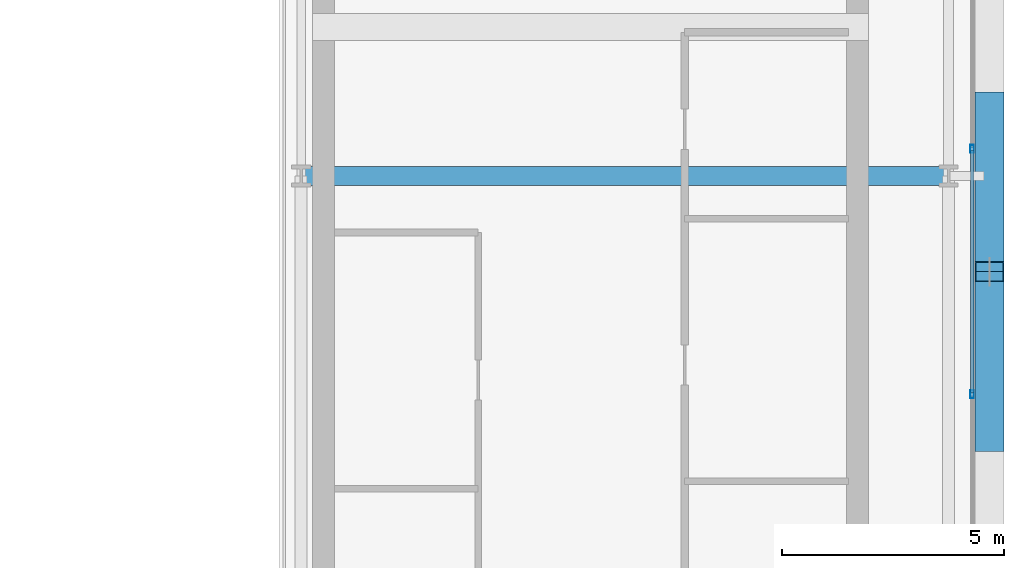
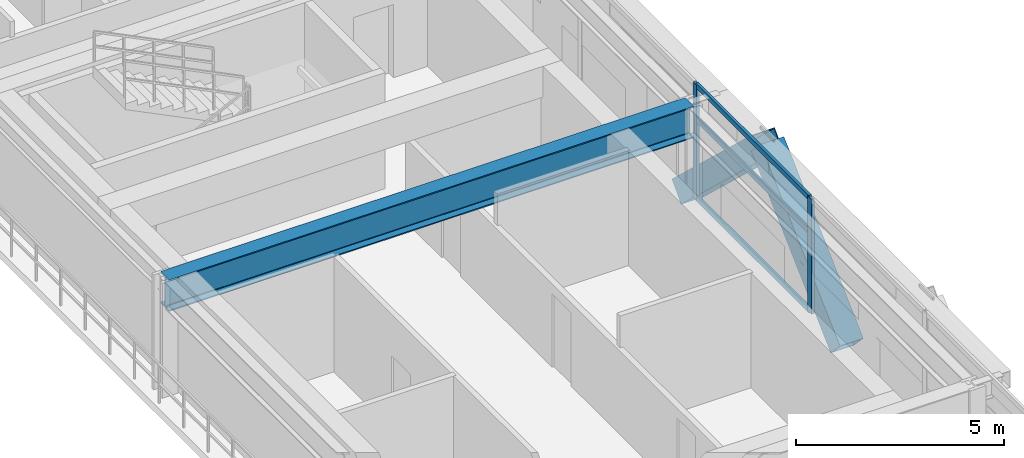
# One storey, part 13 of 32: 7 members, 1 beam, 1 element without a shape of its own.
"""IFC4 building model written with IfcOpenShell, lengths in metres."""

from ifc_helpers import new_model, si_unit, direction, frame, origin, origin_2d, place, context, subcontext, project, spatial, hollow_rectangle, i_section, extrude, source, transform, mapped, material, layer, layer_set, material_profile, profile_set, type_object, element, aggregate, save


model = new_model("IFC4")

# Units and contexts
model_context = context("Model", 3, precision=1e-05, world=origin(), true_north=direction((0.0, 1.0)))
body_context = subcontext(model_context, "Body", "Model", "MODEL_VIEW")
ifc_project = project(units=[si_unit("LENGTHUNIT", "METRE"), si_unit("AREAUNIT", "SQUARE_METRE"), si_unit("VOLUMEUNIT", "CUBIC_METRE"), si_unit("PLANEANGLEUNIT", "RADIAN"), si_unit("MASSUNIT", "GRAM", prefix="KILO")], contexts=[model_context])

# Site, building, storey
site_placement = place(None, origin())
site = spatial("IfcSite", under=ifc_project, at=site_placement, CompositionType="ELEMENT")
building_placement = place(site_placement, origin())
building = spatial("IfcBuilding", under=site, at=building_placement, Name="Ocotamira Hotel", CompositionType="ELEMENT")
storey_placement = place(building_placement, frame((0.0, 0.0, 166.800048828125)))
storey = spatial("IfcBuildingStorey", under=building, at=storey_placement, Name="L41", CompositionType="ELEMENT", Elevation=166.800048828125)

# Beam
ifc_material_1 = material(Name="Steel ASTM A992 Grade 50", Category="steel")
ifc_material_profile_1 = material_profile(ifc_material_1, i_section(OverallWidth=0.41796875, OverallDepth=0.927001953125, WebThickness=0.019287109375, FlangeThickness=0.031982421875, FilletRadius=0.02392578125, at=origin_2d()), Name="W36X231")
ifc_profile_set_1 = profile_set([ifc_material_profile_1], Name="Steel ASTM A992 Grade 50")
beam_type = type_object("IfcBeamType", Name="BM-GIRD-W36X231", PredefinedType="BEAM", material=ifc_profile_set_1)
shared_shape_1 = source(origin(), body_context, "Body", "SweptSolid", [
    extrude(i_section(OverallWidth=0.41796875, OverallDepth=0.927001953125, WebThickness=0.019287109375, FlangeThickness=0.031982421875, FilletRadius=0.02392578125, at=origin_2d()), origin(), (0.0, 0.0, 1.0), 14.550048828125),
])
beam_placement = place(storey_placement, frame((40.5, 28.14990234375, 2.906494140625), z_axis=(1.0, 0.0, 0.0), x_axis=(0.0, 1.0, 0.0)))
element("IfcBeam", 1, at=beam_placement, inside=storey, type_object=beam_type, Name="L41 Girder Y28.15 X40.5-55.05", PredefinedType="BEAM", context=body_context, shape_type="MappedRepresentation", body=[
    mapped(shared_shape_1, transform((0.0, 0.0, 0.0), scale=1.0)),
])

# Members
ifc_material_2 = material(Name="Pale-metal coated steel ASTM A913 Grade 65", Category="steel")
ifc_material_profile_2 = material_profile(ifc_material_2, hollow_rectangle(XDim=0.64990234375, YDim=0.64990234375, WallThickness=0.02197265625, at=origin_2d()), Name="BOX650X650X22")
ifc_profile_set_2 = profile_set([ifc_material_profile_2], Name="Pale-metal coated steel ASTM A913 Grade 65")
member_type_1 = type_object("IfcMemberType", Name="MEM-EXO-BOX650", PredefinedType="BRACE", material=ifc_profile_set_2)
shared_shape_2 = source(origin(), body_context, "Body", "SweptSolid", [
    extrude(hollow_rectangle(XDim=0.64990234375, YDim=0.64990234375, WallThickness=0.02197265625, at=origin_2d()), origin(), (0.0, 0.0, 1.0), 5.24658203125),
])
for number, where, z_axis, x_axis, name in (
    (2, (55.969970703125, 22.183349609375, -0.47998046875), (0.0, 0.72746596067, 0.686143772154), (-1.0, 0.0, 0.0), "L41 Exoskeleton Diagrid E1.1"),
    (3, (55.969970703125, 29.816650390625, -0.47998046875), (0.0, -0.72746596067, 0.686143772154), (1.0, 0.0, 0.0), "L41 Exoskeleton Diagrid E1.2"),
):
    element("IfcMember", number, at=place(storey_placement, frame(where, z_axis=z_axis, x_axis=x_axis)), inside=storey, type_object=member_type_1, Name=name, PredefinedType="BRACE", context=body_context, shape_type="MappedRepresentation", body=[
        mapped(shared_shape_2, transform((0.0, 0.0, 0.0), scale=1.0)),
    ])

# Curtain wall, members
ifc_material_3 = material(Name="Anodised pale-metal aluminium and solar glass", Category="aluminium")
ifc_layer = layer(ifc_material_3, 0.199951171875)
ifc_layer_set = layer_set([ifc_layer], Name="Anodised pale-metal aluminium and solar glass")
curtain_wall_type = type_object("IfcCurtainWallType", Name="CW-SYS4-Z3", PredefinedType="NOTDEFINED", material=ifc_layer_set)
curtain_wall_placement = place(storey_placement, origin())
curtain_wall = element("IfcCurtainWall", 4, at=curtain_wall_placement, inside=storey, type_object=curtain_wall_type, Name="L41 Curtain Wall CW-4 CW-L41-E", PredefinedType="NOTDEFINED")
ifc_material_4 = material(Name="Anodised pale-metal aluminium 6063-T6", Category="aluminium")
ifc_material_profile_3 = material_profile(ifc_material_4, hollow_rectangle(XDim=0.074951171875, YDim=0.14990234375, WallThickness=0.006103515625, at=origin_2d()), Name="HSS150X75X6")
ifc_profile_set_3 = profile_set([ifc_material_profile_3], Name="Anodised pale-metal aluminium 6063-T6")
member_type_2 = type_object("IfcMemberType", Name="CWT-150X75", PredefinedType="USERDEFINED", material=ifc_profile_set_3)
shared_shape_3 = source(origin(), body_context, "Body", "SweptSolid", [
    extrude(hollow_rectangle(XDim=0.074951171875, YDim=0.14990234375, WallThickness=0.006103515625, at=origin_2d()), origin(), (0.0, 0.0, 1.0), 5.43994140625),
])
member_1_placement = place(storey_placement, frame((55.580078125, 23.280029296875, 0.037353515625), z_axis=(0.0, 1.0, 0.0), x_axis=(-1.0, 0.0, 0.0)))
member_1 = element("IfcMember", 5, at=member_1_placement, type_object=member_type_2, Name="CW-4 transom 3.1", ObjectType="TRANSOM", PredefinedType="USERDEFINED", context=body_context, shape_type="MappedRepresentation", body=[
    mapped(shared_shape_3, transform((0.0, 0.0, 0.0), scale=1.0)),
])
member_2_placement = place(storey_placement, frame((55.580078125, 23.280029296875, 2.349853515625), z_axis=(0.0, 1.0, 0.0), x_axis=(-1.0, 0.0, 0.0)))
member_2 = element("IfcMember", 6, at=member_2_placement, type_object=member_type_2, Name="CW-4 transom 3.2", ObjectType="TRANSOM", PredefinedType="USERDEFINED", context=body_context, shape_type="MappedRepresentation", body=[
    mapped(shared_shape_3, transform((0.0, 0.0, 0.0), scale=1.0)),
])
member_3_placement = place(storey_placement, frame((55.580078125, 23.280029296875, 3.33251953125), z_axis=(0.0, 1.0, 0.0), x_axis=(-1.0, 0.0, 0.0)))
member_3 = element("IfcMember", 7, at=member_3_placement, type_object=member_type_2, Name="CW-4 transom 3.3", ObjectType="TRANSOM", PredefinedType="USERDEFINED", context=body_context, shape_type="MappedRepresentation", body=[
    mapped(shared_shape_3, transform((0.0, 0.0, 0.0), scale=1.0)),
])
ifc_material_profile_4 = material_profile(ifc_material_4, hollow_rectangle(XDim=0.080078125, YDim=0.179931640625, WallThickness=0.006103515625, at=origin_2d()), Name="HSS180X80X6")
ifc_profile_set_4 = profile_set([ifc_material_profile_4], Name="Anodised pale-metal aluminium 6063-T6")
member_type_3 = type_object("IfcMemberType", Name="CWM-180X75", PredefinedType="MULLION", material=ifc_profile_set_4)
shared_shape_4 = source(origin(), body_context, "Body", "SweptSolid", [
    extrude(hollow_rectangle(XDim=0.080078125, YDim=0.179931640625, WallThickness=0.006103515625, at=origin_2d()), origin(), (0.0, 0.0, 1.0), 3.369873046875),
])
member_4_placement = place(storey_placement, frame((55.580078125, 23.239990234375, 0.0), z_axis=(0.0, 0.0, 1.0), x_axis=(-1.0, 0.0, 0.0)))
member_4 = element("IfcMember", 8, at=member_4_placement, type_object=member_type_3, Name="CW-4 mullion 3", PredefinedType="MULLION", context=body_context, shape_type="MappedRepresentation", body=[
    mapped(shared_shape_4, transform((0.0, 0.0, 0.0), scale=1.0)),
])
member_5_placement = place(storey_placement, frame((55.580078125, 28.760009765625, 0.0), z_axis=(0.0, 0.0, 1.0), x_axis=(-1.0, 0.0, 0.0)))
member_5 = element("IfcMember", 9, at=member_5_placement, type_object=member_type_3, Name="CW-4 mullion 4", PredefinedType="MULLION", context=body_context, shape_type="MappedRepresentation", body=[
    mapped(shared_shape_4, transform((0.0, 0.0, 0.0), scale=1.0)),
])
aggregate(curtain_wall, [member_4, member_5, member_1, member_2, member_3])

save(model, "model.ifc")
